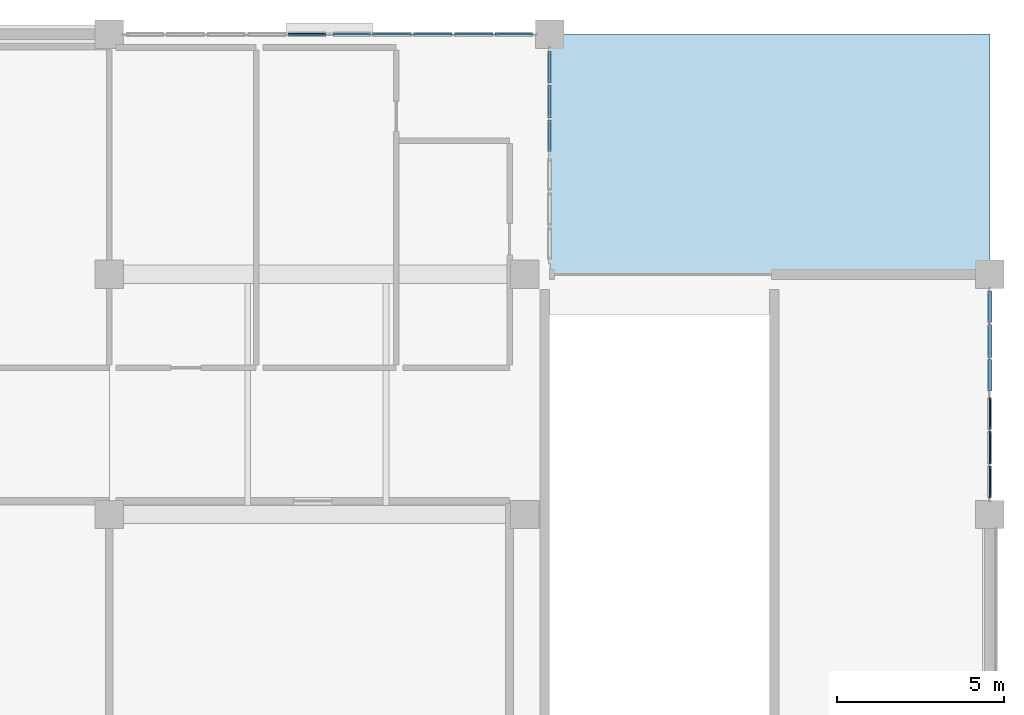
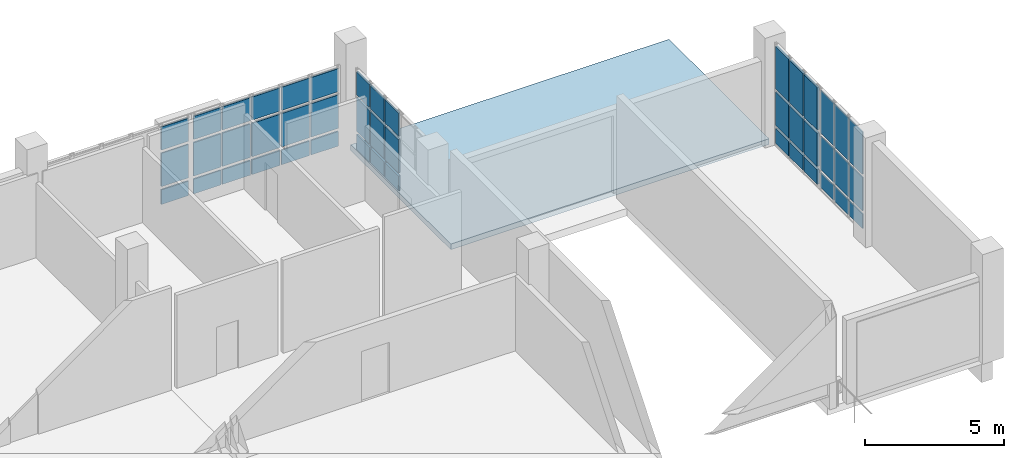
# One storey, part 55 of 97: 45 plates, 1 slab, 5 elements without a shape of their own.
"""IFC4 building model written with IfcOpenShell, lengths in metres."""

import ifcopenshell
import ifcopenshell.guid

model = None  # the IFC model being written
_history = None  # IfcOwnerHistory: only IFC2X3 demands one
_inside = {}  # id of a spatial element -> (the spatial element, [elements in it])
_under = {}  # id of a project, library or spatial element -> (it, [spatial elements below it])
_declared = {}  # id of a project -> (the project, [libraries it declares])
_typed = {}  # id of a type object -> (the type object, [elements of that type])
_made_of = {}  # id of a material, layer set ... -> (it, [elements and type objects made of it])


def new_model(schema):
    """Start an empty IFC model of exactly this schema.

    Asked for "IFC4X3", IfcOpenShell would pick the latest addendum, in which some entities
    have other attributes; the version numbers below select the first issue.
    IFC2X3 requires an IfcOwnerHistory on every rooted entity: one is made here for all.
    """
    global model, _history
    if schema == "IFC4X3":
        model = ifcopenshell.file(schema_version=(4, 3, 0, 0))
    else:
        model = ifcopenshell.file(schema=schema)
    _inside.clear()
    _under.clear()
    _declared.clear()
    _typed.clear()
    _made_of.clear()
    _history = None
    if model.schema == "IFC2X3":
        org = make("IfcOrganization", Name="unknown")
        user = make(
            "IfcPersonAndOrganization",
            ThePerson=make("IfcPerson", FamilyName="unknown"),
            TheOrganization=org,
        )
        app = make(
            "IfcApplication",
            ApplicationDeveloper=org,
            Version="unknown",
            ApplicationFullName="unknown",
            ApplicationIdentifier="unknown",
        )
        _history = make(
            "IfcOwnerHistory",
            OwningUser=user,
            OwningApplication=app,
            ChangeAction="ADDED",
            CreationDate=0,
        )
    return model


def make(cls, **values):
    """One entity of the class cls with the attributes given. An attribute that is None is left unset."""
    return model.create_entity(
        cls, **{name: value for name, value in values.items() if value is not None}
    )


def rooted(cls, **values):
    """An entity with a GlobalId (a new one), such as an element, a storey or a relation."""
    return make(cls, GlobalId=ifcopenshell.guid.new(), OwnerHistory=_history, **values)


def si_unit(unit_type, name, prefix=None):
    """IfcSIUnit, for example si_unit("LENGTHUNIT", "METRE", prefix="MILLI")."""
    return make("IfcSIUnit", UnitType=unit_type, Prefix=prefix, Name=name)


def assignment(units):
    """IfcUnitAssignment: the units of a project."""
    return None if units is None else make("IfcUnitAssignment", Units=units)


def point(xyz):
    """IfcCartesianPoint."""
    return None if xyz is None else make("IfcCartesianPoint", Coordinates=xyz)


def direction(xyz):
    """IfcDirection."""
    return None if xyz is None else make("IfcDirection", DirectionRatios=xyz)


def frame(location, z_axis=None, x_axis=None):
    """IfcAxis2Placement3D, a coordinate frame: its origin and axes. An axis left out is left unset."""
    return make(
        "IfcAxis2Placement3D",
        Location=point(location),
        Axis=direction(z_axis),
        RefDirection=direction(x_axis),
    )


def frame_2d(location, x_axis=None):
    """IfcAxis2Placement2D, a coordinate frame in the plane: its origin and x axis."""
    return make(
        "IfcAxis2Placement2D", Location=point(location), RefDirection=direction(x_axis)
    )


def origin():
    """The frame at (0, 0, 0) with its axes left unset."""
    return frame((0.0, 0.0, 0.0))


def origin_2d():
    """The frame at (0, 0) in the plane with its x axis left unset."""
    return frame_2d((0.0, 0.0))


def place(relative_to, where):
    """IfcLocalPlacement: puts the frame where relative to a parent placement (None: the world)."""
    return make(
        "IfcLocalPlacement", PlacementRelTo=relative_to, RelativePlacement=where
    )


def context(
    kind, dimensions, precision=None, world=None, true_north=None, identifier=None
):
    """IfcGeometricRepresentationContext, for example the 3D "Model" context."""
    return make(
        "IfcGeometricRepresentationContext",
        ContextIdentifier=identifier,
        ContextType=kind,
        CoordinateSpaceDimension=dimensions,
        Precision=precision,
        WorldCoordinateSystem=world,
        TrueNorth=true_north,
    )


def subcontext(parent, identifier, kind, view, scale=None):
    """IfcGeometricRepresentationSubContext, for example "Body" below "Model"."""
    return make(
        "IfcGeometricRepresentationSubContext",
        ContextIdentifier=identifier,
        ContextType=kind,
        ParentContext=parent,
        TargetScale=scale,
        TargetView=view,
    )


def project(units=None, contexts=None):
    """IfcProject with its units and contexts."""
    return rooted(
        "IfcProject",
        Name="project",
        RepresentationContexts=contexts,
        UnitsInContext=assignment(units),
    )


def spatial(cls, under=None, at=None, **own):
    """A site, building, storey or space (cls), placed at a placement, below another one or the project."""
    s = rooted(cls, ObjectPlacement=at, **own)
    if under is not None:
        _under.setdefault(under.id(), (under, []))[1].append(s)
    return s


def polyline(points):
    """IfcPolyline through the points."""
    return make("IfcPolyline", Points=[point(p) for p in points])


def profile(cls, at=None, kind="AREA", **sizes):
    """A parametric profile (cls). Its sizes go by their IFC names, for example OverallWidth=200.0."""
    return make(cls, ProfileType=kind, Position=at, **sizes)


def rectangle(**sizes):
    """IfcRectangleProfileDef."""
    return profile("IfcRectangleProfileDef", **sizes)


def outline(outer, holes=None, kind="AREA"):
    """IfcArbitraryClosedProfileDef: a profile drawn as a closed curve; with holes, ...WithVoids."""
    if holes is None:
        return make("IfcArbitraryClosedProfileDef", ProfileType=kind, OuterCurve=outer)
    return make(
        "IfcArbitraryProfileDefWithVoids",
        ProfileType=kind,
        OuterCurve=outer,
        InnerCurves=holes,
    )


def extrude(swept, where, along, depth):
    """IfcExtrudedAreaSolid: the profile swept, set in the frame where, extruded along a direction by depth."""
    return make(
        "IfcExtrudedAreaSolid",
        SweptArea=swept,
        Position=where,
        ExtrudedDirection=direction(along),
        Depth=depth,
    )


def shape(context_of_items, identifier, shape_type, items):
    """IfcShapeRepresentation: the items that make up one representation, for example the "Body"."""
    return make(
        "IfcShapeRepresentation",
        ContextOfItems=context_of_items,
        RepresentationIdentifier=identifier,
        RepresentationType=shape_type,
        Items=items,
    )


def material(Name=None, Category=None):
    """IfcMaterial."""
    return make("IfcMaterial", Name=Name, Category=Category)


def layer(
    of_material, thickness, ventilated=None, Name=None, Category=None, Priority=None
):
    """IfcMaterialLayer: one layer of a wall or slab, of a material (None: an air gap)."""
    return make(
        "IfcMaterialLayer",
        Material=of_material,
        LayerThickness=thickness,
        IsVentilated=ventilated,
        Name=Name,
        Category=Category,
        Priority=Priority,
    )


def layer_set(layers, Name=None):
    """IfcMaterialLayerSet."""
    return make("IfcMaterialLayerSet", MaterialLayers=layers, LayerSetName=Name)


def made_of(thing, what):
    """Note that an element or type object is made of a material, layer set ...; save() writes the relation."""
    if what is not None:
        _made_of.setdefault(what.id(), (what, []))[1].append(thing)
    return thing


def type_object(cls, material=None, **own):
    """A type object (cls), such as IfcWallType, which elements share."""
    return made_of(rooted(cls, **own), material)


def element(
    cls,
    number,
    at=None,
    inside=None,
    cuts=None,
    type_object=None,
    material=None,
    context=None,
    identifier="Body",
    shape_type=None,
    held_by="IfcProductDefinitionShape",
    body=None,
    shapes=None,
    **own,
):
    """One element of the class cls, such as IfcWall. Its Tag is "e" and its number.

    at: its placement. inside: the storey or other place that contains it. cuts: it is an
    opening in that element (IfcRelVoidsElement). A single representation is given by context,
    identifier, shape_type and body (its items); several are given by shapes. held_by: the class
    of the entity that holds the representations. save() writes the other relations.
    """
    e = rooted(cls, Tag="e%d" % number, ObjectPlacement=at, **own)
    if body is not None:
        shapes = [shape(context, identifier, shape_type, body)]
    if shapes is not None:
        e.Representation = make(held_by, Representations=shapes)
    if inside is not None:
        _inside.setdefault(inside.id(), (inside, []))[1].append(e)
    if cuts is not None:
        rooted(
            "IfcRelVoidsElement", RelatingBuildingElement=cuts, RelatedOpeningElement=e
        )
    if type_object is not None:
        _typed.setdefault(type_object.id(), (type_object, []))[1].append(e)
    return made_of(e, material)


def aggregate(whole, parts):
    """IfcRelAggregates: a whole, such as a stair, and the parts it consists of."""
    return rooted("IfcRelAggregates", RelatingObject=whole, RelatedObjects=parts)


def save(model, path):
    """Write the relations noted so far, then the file.

    IfcRelAggregates (storeys below a building ...), IfcRelContainedInSpatialStructure (elements
    in a storey), IfcRelDefinesByType, IfcRelAssociatesMaterial and IfcRelDeclares: one each for
    every whole, place, type object, material and project.
    """
    for whole, parts in _under.values():
        aggregate(whole, parts)
    for where, things in _inside.values():
        rooted(
            "IfcRelContainedInSpatialStructure",
            RelatedElements=things,
            RelatingStructure=where,
        )
    for kind, things in _typed.values():
        rooted("IfcRelDefinesByType", RelatedObjects=things, RelatingType=kind)
    for what, things in _made_of.values():
        rooted("IfcRelAssociatesMaterial", RelatedObjects=things, RelatingMaterial=what)
    for by, libraries in _declared.values():
        rooted("IfcRelDeclares", RelatingContext=by, RelatedDefinitions=libraries)
    model.write(path)


model = new_model("IFC4")

# Units and contexts
model_context = context("Model", 3, precision=1e-05, world=origin(), true_north=direction((0.0, 1.0)))
body_context = subcontext(model_context, "Body", "Model", "MODEL_VIEW")
ifc_project = project(units=[si_unit("LENGTHUNIT", "METRE"), si_unit("AREAUNIT", "SQUARE_METRE"), si_unit("VOLUMEUNIT", "CUBIC_METRE"), si_unit("PLANEANGLEUNIT", "RADIAN"), si_unit("MASSUNIT", "GRAM", prefix="KILO")], contexts=[model_context])

# Site, building, storey
site_placement = place(None, origin())
site = spatial("IfcSite", under=ifc_project, at=site_placement, CompositionType="ELEMENT")
building_placement = place(site_placement, origin())
building = spatial("IfcBuilding", under=site, at=building_placement, Name="Kisaragi Civic Commons", CompositionType="ELEMENT")
storey_placement = place(building_placement, origin())
storey = spatial("IfcBuildingStorey", under=building, at=storey_placement, Name="L00", CompositionType="ELEMENT", Elevation=0.0)

# Curtain wall, plates
ifc_material_1 = material(Name="Thermally broken anodized aluminium and low-E double glazing", Category="aluminium")
ifc_layer_1 = layer(ifc_material_1, 0.179931640625, Name="Thermally broken anodized aluminium and low-E double glazing", Category="aluminium")
ifc_layer_set_1 = layer_set([ifc_layer_1], Name="Thermally broken anodized aluminium and low-E double glazing")
curtain_wall_type = type_object("IfcCurtainWallType", Name="CW-01", PredefinedType="NOTDEFINED", material=ifc_layer_set_1)
curtain_wall_1_placement = place(storey_placement, origin())
curtain_wall_1 = element("IfcCurtainWall", 1, at=curtain_wall_1_placement, inside=storey, type_object=curtain_wall_type, Name="L00 curtain wall CW-01 CW-V4-L00-049", PredefinedType="NOTDEFINED")
ifc_layer_2 = layer(ifc_material_1, 0.055908203125, Name="Thermally broken anodized aluminium and low-E double glazing", Category="aluminium")
ifc_layer_set_2 = layer_set([ifc_layer_2], Name="Thermally broken anodized aluminium and low-E double glazing")
plate_type_1 = type_object("IfcPlateType", Name="CWP-06", PredefinedType="CURTAIN_PANEL", material=ifc_layer_set_2)
plate_1_placement = place(storey_placement, frame((152.331787109375, 118.800048828125, 0.14013671875), z_axis=(0.0, 0.0, 1.0), x_axis=(1.0, 0.0, 0.0)))
plate_1 = element("IfcPlate", 2, at=plate_1_placement, type_object=plate_type_1, Name="CW-01 panel 5.1", PredefinedType="CURTAIN_PANEL", context=body_context, shape_type="SweptSolid", body=[
    extrude(rectangle(XDim=1.12646484375, YDim=0.055908203125, at=origin_2d()), origin(), (0.0, 0.0, 1.0), 0.639892578125),
])
plate_2_placement = place(storey_placement, frame((152.331787109375, 118.800048828125, 0.919921875), z_axis=(0.0, 0.0, 1.0), x_axis=(1.0, 0.0, 0.0)))
plate_2 = element("IfcPlate", 3, at=plate_2_placement, type_object=plate_type_1, Name="CW-01 panel 5.2", PredefinedType="CURTAIN_PANEL", context=body_context, shape_type="SweptSolid", body=[
    extrude(rectangle(XDim=1.12646484375, YDim=0.055908203125, at=origin_2d()), origin(), (0.0, 0.0, 1.0), 1.4599609375),
])
plate_3_placement = place(storey_placement, frame((152.331787109375, 118.800048828125, 2.52001953125), z_axis=(0.0, 0.0, 1.0), x_axis=(1.0, 0.0, 0.0)))
plate_3 = element("IfcPlate", 4, at=plate_3_placement, type_object=plate_type_1, Name="CW-01 panel 5.3", PredefinedType="CURTAIN_PANEL", context=body_context, shape_type="SweptSolid", body=[
    extrude(rectangle(XDim=1.12646484375, YDim=0.055908203125, at=origin_2d()), origin(), (0.0, 0.0, 1.0), 1.010009765625),
])
aggregate(curtain_wall_1, [plate_1, plate_2, plate_3])

curtain_wall_2_placement = place(storey_placement, origin())
curtain_wall_2 = element("IfcCurtainWall", 5, at=curtain_wall_2_placement, inside=storey, type_object=curtain_wall_type, Name="L00 curtain wall CW-01 CW-V4-L00-050", PredefinedType="NOTDEFINED")
ifc_layer_3 = layer(ifc_material_1, 0.06005859375, Name="Thermally broken anodized aluminium and low-E double glazing", Category="aluminium")
ifc_layer_set_3 = layer_set([ifc_layer_3], Name="Thermally broken anodized aluminium and low-E double glazing")
plate_type_2 = type_object("IfcPlateType", Name="CWP-07", PredefinedType="CURTAIN_PANEL", material=ifc_layer_set_3)
plate_4_placement = place(storey_placement, frame((153.668212890625, 118.800048828125, 0.14013671875), z_axis=(0.0, 0.0, 1.0), x_axis=(1.0, 0.0, 0.0)))
plate_4 = element("IfcPlate", 6, at=plate_4_placement, type_object=plate_type_2, Name="CW-01 panel 1.1", PredefinedType="CURTAIN_PANEL", context=body_context, shape_type="SweptSolid", body=[
    extrude(rectangle(XDim=1.12646484375, YDim=0.06005859375, at=origin_2d()), origin(), (0.0, 0.0, 1.0), 0.639892578125),
])
plate_5_placement = place(storey_placement, frame((153.668212890625, 118.800048828125, 0.919921875), z_axis=(0.0, 0.0, 1.0), x_axis=(1.0, 0.0, 0.0)))
plate_5 = element("IfcPlate", 7, at=plate_5_placement, type_object=plate_type_2, Name="CW-01 panel 1.2", PredefinedType="CURTAIN_PANEL", context=body_context, shape_type="SweptSolid", body=[
    extrude(rectangle(XDim=1.12646484375, YDim=0.06005859375, at=origin_2d()), origin(), (0.0, 0.0, 1.0), 1.4599609375),
])
plate_6_placement = place(storey_placement, frame((153.668212890625, 118.800048828125, 2.52001953125), z_axis=(0.0, 0.0, 1.0), x_axis=(1.0, 0.0, 0.0)))
plate_6 = element("IfcPlate", 8, at=plate_6_placement, type_object=plate_type_2, Name="CW-01 panel 1.3", PredefinedType="CURTAIN_PANEL", context=body_context, shape_type="SweptSolid", body=[
    extrude(rectangle(XDim=1.12646484375, YDim=0.06005859375, at=origin_2d()), origin(), (0.0, 0.0, 1.0), 1.010009765625),
])
plate_7_placement = place(storey_placement, frame((154.8759765625, 118.800048828125, 0.14013671875), z_axis=(0.0, 0.0, 1.0), x_axis=(1.0, 0.0, 0.0)))
plate_7 = element("IfcPlate", 9, at=plate_7_placement, type_object=plate_type_2, Name="CW-01 panel 2.1", PredefinedType="CURTAIN_PANEL", context=body_context, shape_type="SweptSolid", body=[
    extrude(rectangle(XDim=1.158935546875, YDim=0.06005859375, at=origin_2d()), origin(), (0.0, 0.0, 1.0), 0.639892578125),
])
plate_8_placement = place(storey_placement, frame((154.8759765625, 118.800048828125, 0.919921875), z_axis=(0.0, 0.0, 1.0), x_axis=(1.0, 0.0, 0.0)))
plate_8 = element("IfcPlate", 10, at=plate_8_placement, type_object=plate_type_2, Name="CW-01 panel 2.2", PredefinedType="CURTAIN_PANEL", context=body_context, shape_type="SweptSolid", body=[
    extrude(rectangle(XDim=1.158935546875, YDim=0.06005859375, at=origin_2d()), origin(), (0.0, 0.0, 1.0), 1.4599609375),
])
plate_9_placement = place(storey_placement, frame((154.8759765625, 118.800048828125, 2.52001953125), z_axis=(0.0, 0.0, 1.0), x_axis=(1.0, 0.0, 0.0)))
plate_9 = element("IfcPlate", 11, at=plate_9_placement, type_object=plate_type_2, Name="CW-01 panel 2.3", PredefinedType="CURTAIN_PANEL", context=body_context, shape_type="SweptSolid", body=[
    extrude(rectangle(XDim=1.158935546875, YDim=0.06005859375, at=origin_2d()), origin(), (0.0, 0.0, 1.0), 1.010009765625),
])
plate_10_placement = place(storey_placement, frame((156.10009765625, 118.800048828125, 0.14013671875), z_axis=(0.0, 0.0, 1.0), x_axis=(1.0, 0.0, 0.0)))
plate_10 = element("IfcPlate", 12, at=plate_10_placement, type_object=plate_type_2, Name="CW-01 panel 3.1", PredefinedType="CURTAIN_PANEL", context=body_context, shape_type="SweptSolid", body=[
    extrude(rectangle(XDim=1.158935546875, YDim=0.06005859375, at=origin_2d()), origin(), (0.0, 0.0, 1.0), 0.639892578125),
])
plate_11_placement = place(storey_placement, frame((156.10009765625, 118.800048828125, 0.919921875), z_axis=(0.0, 0.0, 1.0), x_axis=(1.0, 0.0, 0.0)))
plate_11 = element("IfcPlate", 13, at=plate_11_placement, type_object=plate_type_2, Name="CW-01 panel 3.2", PredefinedType="CURTAIN_PANEL", context=body_context, shape_type="SweptSolid", body=[
    extrude(rectangle(XDim=1.158935546875, YDim=0.06005859375, at=origin_2d()), origin(), (0.0, 0.0, 1.0), 1.4599609375),
])
plate_12_placement = place(storey_placement, frame((156.10009765625, 118.800048828125, 2.52001953125), z_axis=(0.0, 0.0, 1.0), x_axis=(1.0, 0.0, 0.0)))
plate_12 = element("IfcPlate", 14, at=plate_12_placement, type_object=plate_type_2, Name="CW-01 panel 3.3", PredefinedType="CURTAIN_PANEL", context=body_context, shape_type="SweptSolid", body=[
    extrude(rectangle(XDim=1.158935546875, YDim=0.06005859375, at=origin_2d()), origin(), (0.0, 0.0, 1.0), 1.010009765625),
])
plate_13_placement = place(storey_placement, frame((157.323974609375, 118.800048828125, 0.14013671875), z_axis=(0.0, 0.0, 1.0), x_axis=(1.0, 0.0, 0.0)))
plate_13 = element("IfcPlate", 15, at=plate_13_placement, type_object=plate_type_2, Name="CW-01 panel 4.1", PredefinedType="CURTAIN_PANEL", context=body_context, shape_type="SweptSolid", body=[
    extrude(rectangle(XDim=1.158935546875, YDim=0.06005859375, at=origin_2d()), origin(), (0.0, 0.0, 1.0), 0.639892578125),
])
plate_14_placement = place(storey_placement, frame((157.323974609375, 118.800048828125, 0.919921875), z_axis=(0.0, 0.0, 1.0), x_axis=(1.0, 0.0, 0.0)))
plate_14 = element("IfcPlate", 16, at=plate_14_placement, type_object=plate_type_2, Name="CW-01 panel 4.2", PredefinedType="CURTAIN_PANEL", context=body_context, shape_type="SweptSolid", body=[
    extrude(rectangle(XDim=1.158935546875, YDim=0.06005859375, at=origin_2d()), origin(), (0.0, 0.0, 1.0), 1.4599609375),
])
plate_15_placement = place(storey_placement, frame((157.323974609375, 118.800048828125, 2.52001953125), z_axis=(0.0, 0.0, 1.0), x_axis=(1.0, 0.0, 0.0)))
plate_15 = element("IfcPlate", 17, at=plate_15_placement, type_object=plate_type_2, Name="CW-01 panel 4.3", PredefinedType="CURTAIN_PANEL", context=body_context, shape_type="SweptSolid", body=[
    extrude(rectangle(XDim=1.158935546875, YDim=0.06005859375, at=origin_2d()), origin(), (0.0, 0.0, 1.0), 1.010009765625),
])
plate_16_placement = place(storey_placement, frame((158.53173828125, 118.800048828125, 0.14013671875), z_axis=(0.0, 0.0, 1.0), x_axis=(1.0, 0.0, 0.0)))
plate_16 = element("IfcPlate", 18, at=plate_16_placement, type_object=plate_type_2, Name="CW-01 panel 5.1", PredefinedType="CURTAIN_PANEL", context=body_context, shape_type="SweptSolid", body=[
    extrude(rectangle(XDim=1.12646484375, YDim=0.06005859375, at=origin_2d()), origin(), (0.0, 0.0, 1.0), 0.639892578125),
])
plate_17_placement = place(storey_placement, frame((158.53173828125, 118.800048828125, 0.919921875), z_axis=(0.0, 0.0, 1.0), x_axis=(1.0, 0.0, 0.0)))
plate_17 = element("IfcPlate", 19, at=plate_17_placement, type_object=plate_type_2, Name="CW-01 panel 5.2", PredefinedType="CURTAIN_PANEL", context=body_context, shape_type="SweptSolid", body=[
    extrude(rectangle(XDim=1.12646484375, YDim=0.06005859375, at=origin_2d()), origin(), (0.0, 0.0, 1.0), 1.4599609375),
])
plate_18_placement = place(storey_placement, frame((158.53173828125, 118.800048828125, 2.52001953125), z_axis=(0.0, 0.0, 1.0), x_axis=(1.0, 0.0, 0.0)))
plate_18 = element("IfcPlate", 20, at=plate_18_placement, type_object=plate_type_2, Name="CW-01 panel 5.3", PredefinedType="CURTAIN_PANEL", context=body_context, shape_type="SweptSolid", body=[
    extrude(rectangle(XDim=1.12646484375, YDim=0.06005859375, at=origin_2d()), origin(), (0.0, 0.0, 1.0), 1.010009765625),
])
aggregate(curtain_wall_2, [plate_4, plate_5, plate_6, plate_7, plate_8, plate_9, plate_10, plate_11, plate_12, plate_13, plate_14, plate_15, plate_16, plate_17, plate_18])

curtain_wall_3_placement = place(storey_placement, origin())
curtain_wall_3 = element("IfcCurtainWall", 21, at=curtain_wall_3_placement, inside=storey, type_object=curtain_wall_type, Name="L00 curtain wall CW-01 CW-V4-L00-051", PredefinedType="NOTDEFINED")
ifc_layer_4 = layer(ifc_material_1, 0.073974609375, Name="Thermally broken anodized aluminium and low-E double glazing", Category="aluminium")
ifc_layer_set_4 = layer_set([ifc_layer_4], Name="Thermally broken anodized aluminium and low-E double glazing")
plate_type_3 = type_object("IfcPlateType", Name="CWP-09", PredefinedType="CURTAIN_PANEL", material=ifc_layer_set_4)
plate_19_placement = place(storey_placement, frame((159.60009765625, 117.81884765625, 0.14013671875), z_axis=(0.0, 0.0, 1.0), x_axis=(0.0, -1.0, 0.0)))
plate_19 = element("IfcPlate", 22, at=plate_19_placement, type_object=plate_type_3, Name="CW-01 panel 1.1", PredefinedType="CURTAIN_PANEL", context=body_context, shape_type="SweptSolid", body=[
    extrude(rectangle(XDim=0.952392578125, YDim=0.073974609375, at=origin_2d()), origin(), (0.0, 0.0, 1.0), 0.639892578125),
])
plate_20_placement = place(storey_placement, frame((159.60009765625, 117.81884765625, 0.919921875), z_axis=(0.0, 0.0, 1.0), x_axis=(0.0, -1.0, 0.0)))
plate_20 = element("IfcPlate", 23, at=plate_20_placement, type_object=plate_type_3, Name="CW-01 panel 1.2", PredefinedType="CURTAIN_PANEL", context=body_context, shape_type="SweptSolid", body=[
    extrude(rectangle(XDim=0.952392578125, YDim=0.073974609375, at=origin_2d()), origin(), (0.0, 0.0, 1.0), 1.4599609375),
])
plate_21_placement = place(storey_placement, frame((159.60009765625, 117.81884765625, 2.52001953125), z_axis=(0.0, 0.0, 1.0), x_axis=(0.0, -1.0, 0.0)))
plate_21 = element("IfcPlate", 24, at=plate_21_placement, type_object=plate_type_3, Name="CW-01 panel 1.3", PredefinedType="CURTAIN_PANEL", context=body_context, shape_type="SweptSolid", body=[
    extrude(rectangle(XDim=0.952392578125, YDim=0.073974609375, at=origin_2d()), origin(), (0.0, 0.0, 1.0), 1.010009765625),
])
plate_22_placement = place(storey_placement, frame((159.60009765625, 116.784912109375, 0.14013671875), z_axis=(0.0, 0.0, 1.0), x_axis=(0.0, -1.0, 0.0)))
plate_22 = element("IfcPlate", 25, at=plate_22_placement, type_object=plate_type_3, Name="CW-01 panel 2.1", PredefinedType="CURTAIN_PANEL", context=body_context, shape_type="SweptSolid", body=[
    extrude(rectangle(XDim=0.985107421875, YDim=0.073974609375, at=origin_2d()), origin(), (0.0, 0.0, 1.0), 0.639892578125),
])
plate_23_placement = place(storey_placement, frame((159.60009765625, 116.784912109375, 0.919921875), z_axis=(0.0, 0.0, 1.0), x_axis=(0.0, -1.0, 0.0)))
plate_23 = element("IfcPlate", 26, at=plate_23_placement, type_object=plate_type_3, Name="CW-01 panel 2.2", PredefinedType="CURTAIN_PANEL", context=body_context, shape_type="SweptSolid", body=[
    extrude(rectangle(XDim=0.985107421875, YDim=0.073974609375, at=origin_2d()), origin(), (0.0, 0.0, 1.0), 1.4599609375),
])
plate_24_placement = place(storey_placement, frame((159.60009765625, 116.784912109375, 2.52001953125), z_axis=(0.0, 0.0, 1.0), x_axis=(0.0, -1.0, 0.0)))
plate_24 = element("IfcPlate", 27, at=plate_24_placement, type_object=plate_type_3, Name="CW-01 panel 2.3", PredefinedType="CURTAIN_PANEL", context=body_context, shape_type="SweptSolid", body=[
    extrude(rectangle(XDim=0.985107421875, YDim=0.073974609375, at=origin_2d()), origin(), (0.0, 0.0, 1.0), 1.010009765625),
])
plate_25_placement = place(storey_placement, frame((159.60009765625, 115.751220703125, 0.14013671875), z_axis=(0.0, 0.0, 1.0), x_axis=(0.0, -1.0, 0.0)))
plate_25 = element("IfcPlate", 28, at=plate_25_placement, type_object=plate_type_3, Name="CW-01 panel 3.1", PredefinedType="CURTAIN_PANEL", context=body_context, shape_type="SweptSolid", body=[
    extrude(rectangle(XDim=0.952392578125, YDim=0.073974609375, at=origin_2d()), origin(), (0.0, 0.0, 1.0), 0.639892578125),
])
plate_26_placement = place(storey_placement, frame((159.60009765625, 115.751220703125, 0.919921875), z_axis=(0.0, 0.0, 1.0), x_axis=(0.0, -1.0, 0.0)))
plate_26 = element("IfcPlate", 29, at=plate_26_placement, type_object=plate_type_3, Name="CW-01 panel 3.2", PredefinedType="CURTAIN_PANEL", context=body_context, shape_type="SweptSolid", body=[
    extrude(rectangle(XDim=0.952392578125, YDim=0.073974609375, at=origin_2d()), origin(), (0.0, 0.0, 1.0), 1.4599609375),
])
plate_27_placement = place(storey_placement, frame((159.60009765625, 115.751220703125, 2.52001953125), z_axis=(0.0, 0.0, 1.0), x_axis=(0.0, -1.0, 0.0)))
plate_27 = element("IfcPlate", 30, at=plate_27_placement, type_object=plate_type_3, Name="CW-01 panel 3.3", PredefinedType="CURTAIN_PANEL", context=body_context, shape_type="SweptSolid", body=[
    extrude(rectangle(XDim=0.952392578125, YDim=0.073974609375, at=origin_2d()), origin(), (0.0, 0.0, 1.0), 1.010009765625),
])
aggregate(curtain_wall_3, [plate_19, plate_20, plate_21, plate_22, plate_23, plate_24, plate_25, plate_26, plate_27])

curtain_wall_4_placement = place(storey_placement, origin())
curtain_wall_4 = element("IfcCurtainWall", 31, at=curtain_wall_4_placement, inside=storey, type_object=curtain_wall_type, Name="L00 curtain wall CW-01 CW-V4-L00-053", PredefinedType="NOTDEFINED")
ifc_layer_5 = layer(ifc_material_1, 0.0859375, Name="Thermally broken anodized aluminium and low-E double glazing", Category="aluminium")
ifc_layer_set_5 = layer_set([ifc_layer_5], Name="Thermally broken anodized aluminium and low-E double glazing")
plate_type_4 = type_object("IfcPlateType", Name="CWP-12", PredefinedType="CURTAIN_PANEL", material=ifc_layer_set_5)
plate_28_placement = place(storey_placement, frame((172.800048828125, 110.623779296875, 0.14013671875), z_axis=(0.0, 0.0, 1.0), x_axis=(0.0, -1.0, 0.0)))
plate_28 = element("IfcPlate", 32, at=plate_28_placement, type_object=plate_type_4, Name="CW-01 panel 1.1", PredefinedType="CURTAIN_PANEL", context=body_context, shape_type="SweptSolid", body=[
    extrude(rectangle(XDim=0.9423828125, YDim=0.0859375, at=origin_2d()), origin(), (0.0, 0.0, 1.0), 0.639892578125),
])
plate_29_placement = place(storey_placement, frame((172.800048828125, 110.623779296875, 0.919921875), z_axis=(0.0, 0.0, 1.0), x_axis=(0.0, -1.0, 0.0)))
plate_29 = element("IfcPlate", 33, at=plate_29_placement, type_object=plate_type_4, Name="CW-01 panel 1.2", PredefinedType="CURTAIN_PANEL", context=body_context, shape_type="SweptSolid", body=[
    extrude(rectangle(XDim=0.9423828125, YDim=0.0859375, at=origin_2d()), origin(), (0.0, 0.0, 1.0), 1.4599609375),
])
plate_30_placement = place(storey_placement, frame((172.800048828125, 110.623779296875, 2.52001953125), z_axis=(0.0, 0.0, 1.0), x_axis=(0.0, -1.0, 0.0)))
plate_30 = element("IfcPlate", 34, at=plate_30_placement, type_object=plate_type_4, Name="CW-01 panel 1.3", PredefinedType="CURTAIN_PANEL", context=body_context, shape_type="SweptSolid", body=[
    extrude(rectangle(XDim=0.9423828125, YDim=0.0859375, at=origin_2d()), origin(), (0.0, 0.0, 1.0), 1.860107421875),
])
plate_31_placement = place(storey_placement, frame((172.800048828125, 109.60009765625, 0.14013671875), z_axis=(0.0, 0.0, 1.0), x_axis=(0.0, -1.0, 0.0)))
plate_31 = element("IfcPlate", 35, at=plate_31_placement, type_object=plate_type_4, Name="CW-01 panel 2.1", PredefinedType="CURTAIN_PANEL", context=body_context, shape_type="SweptSolid", body=[
    extrude(rectangle(XDim=0.97509765625, YDim=0.0859375, at=origin_2d()), origin(), (0.0, 0.0, 1.0), 0.639892578125),
])
plate_32_placement = place(storey_placement, frame((172.800048828125, 109.60009765625, 0.919921875), z_axis=(0.0, 0.0, 1.0), x_axis=(0.0, -1.0, 0.0)))
plate_32 = element("IfcPlate", 36, at=plate_32_placement, type_object=plate_type_4, Name="CW-01 panel 2.2", PredefinedType="CURTAIN_PANEL", context=body_context, shape_type="SweptSolid", body=[
    extrude(rectangle(XDim=0.97509765625, YDim=0.0859375, at=origin_2d()), origin(), (0.0, 0.0, 1.0), 1.4599609375),
])
plate_33_placement = place(storey_placement, frame((172.800048828125, 109.60009765625, 2.52001953125), z_axis=(0.0, 0.0, 1.0), x_axis=(0.0, -1.0, 0.0)))
plate_33 = element("IfcPlate", 37, at=plate_33_placement, type_object=plate_type_4, Name="CW-01 panel 2.3", PredefinedType="CURTAIN_PANEL", context=body_context, shape_type="SweptSolid", body=[
    extrude(rectangle(XDim=0.97509765625, YDim=0.0859375, at=origin_2d()), origin(), (0.0, 0.0, 1.0), 1.860107421875),
])
plate_34_placement = place(storey_placement, frame((172.800048828125, 108.576171875, 0.14013671875), z_axis=(0.0, 0.0, 1.0), x_axis=(0.0, -1.0, 0.0)))
plate_34 = element("IfcPlate", 38, at=plate_34_placement, type_object=plate_type_4, Name="CW-01 panel 3.1", PredefinedType="CURTAIN_PANEL", context=body_context, shape_type="SweptSolid", body=[
    extrude(rectangle(XDim=0.9423828125, YDim=0.0859375, at=origin_2d()), origin(), (0.0, 0.0, 1.0), 0.639892578125),
])
plate_35_placement = place(storey_placement, frame((172.800048828125, 108.576171875, 0.919921875), z_axis=(0.0, 0.0, 1.0), x_axis=(0.0, -1.0, 0.0)))
plate_35 = element("IfcPlate", 39, at=plate_35_placement, type_object=plate_type_4, Name="CW-01 panel 3.2", PredefinedType="CURTAIN_PANEL", context=body_context, shape_type="SweptSolid", body=[
    extrude(rectangle(XDim=0.9423828125, YDim=0.0859375, at=origin_2d()), origin(), (0.0, 0.0, 1.0), 1.4599609375),
])
plate_36_placement = place(storey_placement, frame((172.800048828125, 108.576171875, 2.52001953125), z_axis=(0.0, 0.0, 1.0), x_axis=(0.0, -1.0, 0.0)))
plate_36 = element("IfcPlate", 40, at=plate_36_placement, type_object=plate_type_4, Name="CW-01 panel 3.3", PredefinedType="CURTAIN_PANEL", context=body_context, shape_type="SweptSolid", body=[
    extrude(rectangle(XDim=0.9423828125, YDim=0.0859375, at=origin_2d()), origin(), (0.0, 0.0, 1.0), 1.860107421875),
])
aggregate(curtain_wall_4, [plate_28, plate_29, plate_30, plate_31, plate_32, plate_33, plate_34, plate_35, plate_36])

curtain_wall_5_placement = place(storey_placement, origin())
curtain_wall_5 = element("IfcCurtainWall", 41, at=curtain_wall_5_placement, inside=storey, type_object=curtain_wall_type, Name="L00 curtain wall CW-01 CW-V4-L00-054", PredefinedType="NOTDEFINED")
ifc_layer_6 = layer(ifc_material_1, 0.0458984375, Name="Thermally broken anodized aluminium and low-E double glazing", Category="aluminium")
ifc_layer_set_6 = layer_set([ifc_layer_6], Name="Thermally broken anodized aluminium and low-E double glazing")
plate_type_5 = type_object("IfcPlateType", Name="CWP-13", PredefinedType="CURTAIN_PANEL", material=ifc_layer_set_6)
plate_37_placement = place(storey_placement, frame((172.800048828125, 107.423828125, 0.14013671875), z_axis=(0.0, 0.0, 1.0), x_axis=(0.0, -1.0, 0.0)))
plate_37 = element("IfcPlate", 42, at=plate_37_placement, type_object=plate_type_5, Name="CW-01 panel 1.1", PredefinedType="CURTAIN_PANEL", context=body_context, shape_type="SweptSolid", body=[
    extrude(rectangle(XDim=0.9423828125, YDim=0.0458984375, at=origin_2d()), origin(), (0.0, 0.0, 1.0), 0.639892578125),
])
plate_38_placement = place(storey_placement, frame((172.800048828125, 107.423828125, 0.919921875), z_axis=(0.0, 0.0, 1.0), x_axis=(0.0, -1.0, 0.0)))
plate_38 = element("IfcPlate", 43, at=plate_38_placement, type_object=plate_type_5, Name="CW-01 panel 1.2", PredefinedType="CURTAIN_PANEL", context=body_context, shape_type="SweptSolid", body=[
    extrude(rectangle(XDim=0.9423828125, YDim=0.0458984375, at=origin_2d()), origin(), (0.0, 0.0, 1.0), 1.4599609375),
])
plate_39_placement = place(storey_placement, frame((172.800048828125, 107.423828125, 2.52001953125), z_axis=(0.0, 0.0, 1.0), x_axis=(0.0, -1.0, 0.0)))
plate_39 = element("IfcPlate", 44, at=plate_39_placement, type_object=plate_type_5, Name="CW-01 panel 1.3", PredefinedType="CURTAIN_PANEL", context=body_context, shape_type="SweptSolid", body=[
    extrude(rectangle(XDim=0.9423828125, YDim=0.0458984375, at=origin_2d()), origin(), (0.0, 0.0, 1.0), 1.860107421875),
])
plate_40_placement = place(storey_placement, frame((172.800048828125, 106.39990234375, 0.14013671875), z_axis=(0.0, 0.0, 1.0), x_axis=(0.0, -1.0, 0.0)))
plate_40 = element("IfcPlate", 45, at=plate_40_placement, type_object=plate_type_5, Name="CW-01 panel 2.1", PredefinedType="CURTAIN_PANEL", context=body_context, shape_type="SweptSolid", body=[
    extrude(rectangle(XDim=0.97509765625, YDim=0.0458984375, at=origin_2d()), origin(), (0.0, 0.0, 1.0), 0.639892578125),
])
plate_41_placement = place(storey_placement, frame((172.800048828125, 106.39990234375, 0.919921875), z_axis=(0.0, 0.0, 1.0), x_axis=(0.0, -1.0, 0.0)))
plate_41 = element("IfcPlate", 46, at=plate_41_placement, type_object=plate_type_5, Name="CW-01 panel 2.2", PredefinedType="CURTAIN_PANEL", context=body_context, shape_type="SweptSolid", body=[
    extrude(rectangle(XDim=0.97509765625, YDim=0.0458984375, at=origin_2d()), origin(), (0.0, 0.0, 1.0), 1.4599609375),
])
plate_42_placement = place(storey_placement, frame((172.800048828125, 106.39990234375, 2.52001953125), z_axis=(0.0, 0.0, 1.0), x_axis=(0.0, -1.0, 0.0)))
plate_42 = element("IfcPlate", 47, at=plate_42_placement, type_object=plate_type_5, Name="CW-01 panel 2.3", PredefinedType="CURTAIN_PANEL", context=body_context, shape_type="SweptSolid", body=[
    extrude(rectangle(XDim=0.97509765625, YDim=0.0458984375, at=origin_2d()), origin(), (0.0, 0.0, 1.0), 1.860107421875),
])
plate_43_placement = place(storey_placement, frame((172.800048828125, 105.376220703125, 0.14013671875), z_axis=(0.0, 0.0, 1.0), x_axis=(0.0, -1.0, 0.0)))
plate_43 = element("IfcPlate", 48, at=plate_43_placement, type_object=plate_type_5, Name="CW-01 panel 3.1", PredefinedType="CURTAIN_PANEL", context=body_context, shape_type="SweptSolid", body=[
    extrude(rectangle(XDim=0.9423828125, YDim=0.0458984375, at=origin_2d()), origin(), (0.0, 0.0, 1.0), 0.639892578125),
])
plate_44_placement = place(storey_placement, frame((172.800048828125, 105.376220703125, 0.919921875), z_axis=(0.0, 0.0, 1.0), x_axis=(0.0, -1.0, 0.0)))
plate_44 = element("IfcPlate", 49, at=plate_44_placement, type_object=plate_type_5, Name="CW-01 panel 3.2", PredefinedType="CURTAIN_PANEL", context=body_context, shape_type="SweptSolid", body=[
    extrude(rectangle(XDim=0.9423828125, YDim=0.0458984375, at=origin_2d()), origin(), (0.0, 0.0, 1.0), 1.4599609375),
])
plate_45_placement = place(storey_placement, frame((172.800048828125, 105.376220703125, 2.52001953125), z_axis=(0.0, 0.0, 1.0), x_axis=(0.0, -1.0, 0.0)))
plate_45 = element("IfcPlate", 50, at=plate_45_placement, type_object=plate_type_5, Name="CW-01 panel 3.3", PredefinedType="CURTAIN_PANEL", context=body_context, shape_type="SweptSolid", body=[
    extrude(rectangle(XDim=0.9423828125, YDim=0.0458984375, at=origin_2d()), origin(), (0.0, 0.0, 1.0), 1.860107421875),
])
aggregate(curtain_wall_5, [plate_37, plate_38, plate_39, plate_40, plate_41, plate_42, plate_43, plate_44, plate_45])

# Slab
ifc_material_2 = material(Name="Concrete Fc30", Category="concrete")
ifc_layer_7 = layer(ifc_material_2, 0.2451171875, Name="Concrete Fc30", Category="concrete")
ifc_layer_set_7 = layer_set([ifc_layer_7], Name="Concrete Fc30")
slab_type = type_object("IfcSlabType", Name="SL-G3", PredefinedType="BASESLAB", material=ifc_layer_set_7)
slab_placement = place(storey_placement, frame((0.0, 0.0, -0.2451171875)))
element("IfcSlab", 51, at=slab_placement, inside=storey, type_object=slab_type, Name="Exterior vehicle ramp and loading driveway apron", PredefinedType="BASESLAB", context=body_context, shape_type="SweptSolid", body=[
    extrude(outline(polyline([(159.6201171875, 111.6201171875), (172.800048828125, 111.6201171875), (172.800048828125, 118.800048828125), (159.6201171875, 118.800048828125), (159.6201171875, 111.6201171875)])), origin(), (0.0, 0.0, 1.0), 0.2451171875),
])

save(model, "model.ifc")
